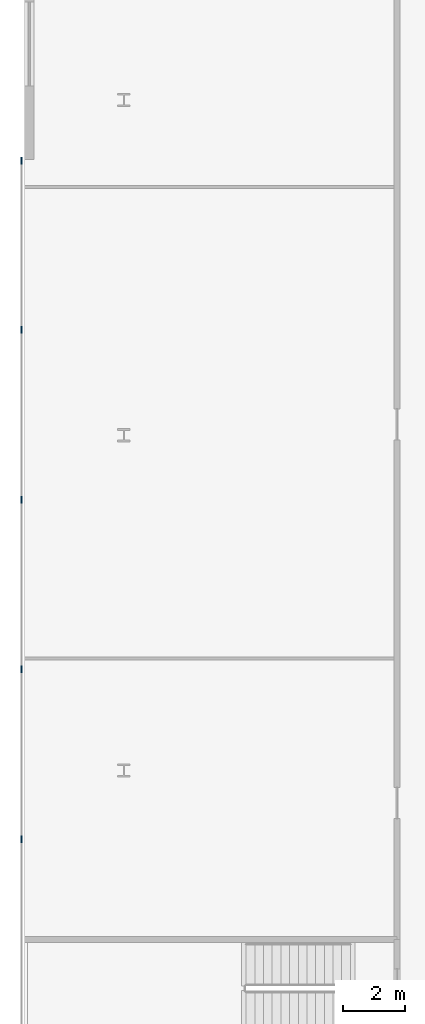
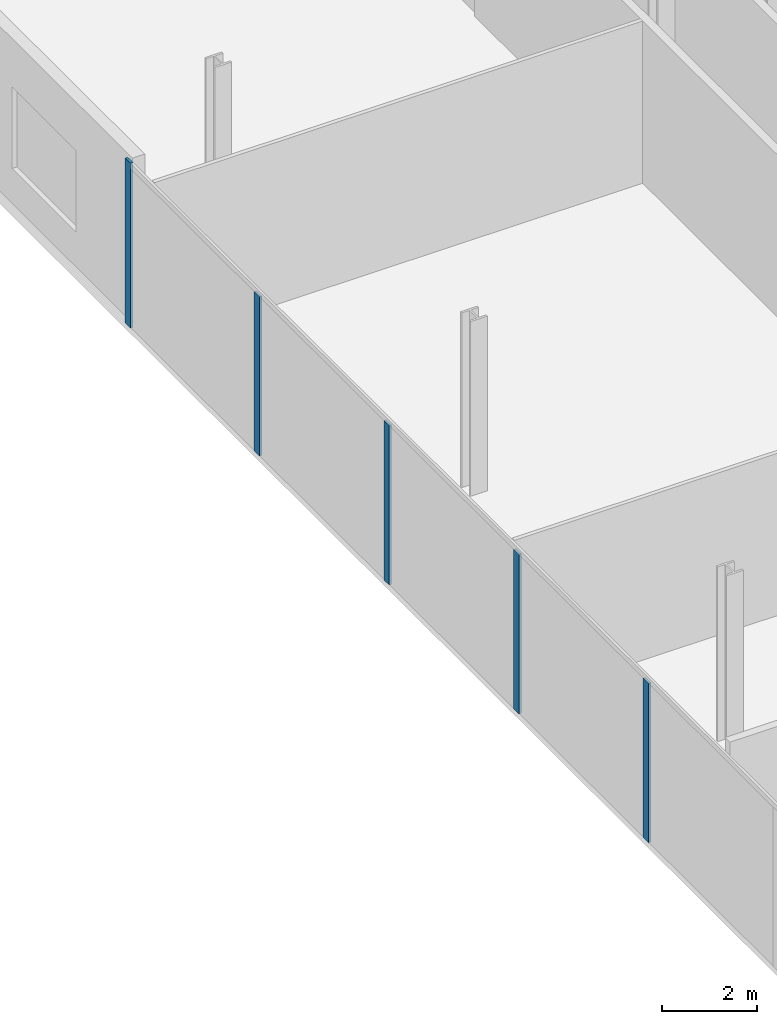
# One storey, part 9 of 47: 5 members, 1 element without a shape of its own.
"""IFC4 building model written with IfcOpenShell, lengths in metres."""

from ifc_helpers import new_model, si_unit, direction, frame, origin, origin_2d, place, context, subcontext, project, spatial, rectangle, extrude, material, layer, layer_set, material_profile, profile_set, type_object, element, aggregate, save


model = new_model("IFC4")

# Units and contexts
model_context = context("Model", 3, precision=1e-05, world=origin(), true_north=direction((0.0, 1.0)))
body_context = subcontext(model_context, "Body", "Model", "MODEL_VIEW")
ifc_project = project(units=[si_unit("LENGTHUNIT", "METRE"), si_unit("AREAUNIT", "SQUARE_METRE"), si_unit("VOLUMEUNIT", "CUBIC_METRE"), si_unit("PLANEANGLEUNIT", "RADIAN"), si_unit("MASSUNIT", "GRAM", prefix="KILO")], contexts=[model_context])

# Site, building, storey
site_placement = place(None, origin())
site = spatial("IfcSite", under=ifc_project, at=site_placement, CompositionType="ELEMENT")
building_placement = place(site_placement, origin())
building = spatial("IfcBuilding", under=site, at=building_placement, Name="Kheshtan School and Residences Tower", CompositionType="ELEMENT")
storey_placement = place(building_placement, frame((0.0, 0.0, 17.0)))
storey = spatial("IfcBuildingStorey", under=building, at=storey_placement, Name="L03", CompositionType="ELEMENT", Elevation=17.0)

# Curtain wall, members
ifc_material_1 = material(Name="Clear low-e glass in thermally broken aluminium frame", Category="aluminium")
ifc_layer = layer(ifc_material_1, 0.22509765625)
ifc_layer_set = layer_set([ifc_layer], Name="Curtain wall CW-P")
curtain_wall_type = type_object("IfcCurtainWallType", Name="Curtain wall CW-P", PredefinedType="NOTDEFINED", material=ifc_layer_set)
curtain_wall_placement = place(storey_placement, origin())
curtain_wall = element("IfcCurtainWall", 1, at=curtain_wall_placement, inside=storey, type_object=curtain_wall_type, Name="Curtain wall CWP16a", PredefinedType="NOTDEFINED")
ifc_material_2 = material(Name="Thermally broken aluminium, dark bronze anodised", Category="aluminium")
ifc_material_profile = material_profile(ifc_material_2, rectangle(XDim=0.06005859375, YDim=0.22509765625, at=origin_2d()), Name="CW-P mullion 60x225")
ifc_profile_set = profile_set([ifc_material_profile], Name="Thermally broken aluminium, dark bronze anodised")
member_type = type_object("IfcMemberType", Name="CW-P mullion 60x225", PredefinedType="MULLION", material=ifc_profile_set)
member_1_placement = place(storey_placement, frame((11.89990234375, 43.377685546875, 0.0), z_axis=(0.0, 0.0, 1.0), x_axis=(-1.0, 0.0, 0.0)))
member_1 = element("IfcMember", 2, at=member_1_placement, type_object=member_type, Name="CWP16a mullion 6", PredefinedType="MULLION", context=body_context, shape_type="SweptSolid", body=[
    extrude(rectangle(XDim=0.06005859375, YDim=0.22509765625, at=origin_2d()), origin(), (0.0, 0.0, 1.0), 4.110107421875),
])
member_2_placement = place(storey_placement, frame((11.89990234375, 48.853271484375, 0.0), z_axis=(0.0, 0.0, 1.0), x_axis=(-1.0, 0.0, 0.0)))
member_2 = element("IfcMember", 3, at=member_2_placement, type_object=member_type, Name="CWP16a mullion 7", PredefinedType="MULLION", context=body_context, shape_type="SweptSolid", body=[
    extrude(rectangle(XDim=0.06005859375, YDim=0.22509765625, at=origin_2d()), origin(), (0.0, 0.0, 1.0), 4.110107421875),
])
member_3_placement = place(storey_placement, frame((11.89990234375, 54.328857421875, 0.0), z_axis=(0.0, 0.0, 1.0), x_axis=(-1.0, 0.0, 0.0)))
member_3 = element("IfcMember", 4, at=member_3_placement, type_object=member_type, Name="CWP16a mullion 8", PredefinedType="MULLION", context=body_context, shape_type="SweptSolid", body=[
    extrude(rectangle(XDim=0.06005859375, YDim=0.22509765625, at=origin_2d()), origin(), (0.0, 0.0, 1.0), 4.110107421875),
])
member_4_placement = place(storey_placement, frame((11.89990234375, 59.804443359375, 0.0), z_axis=(0.0, 0.0, 1.0), x_axis=(-1.0, 0.0, 0.0)))
member_4 = element("IfcMember", 5, at=member_4_placement, type_object=member_type, Name="CWP16a mullion 9", PredefinedType="MULLION", context=body_context, shape_type="SweptSolid", body=[
    extrude(rectangle(XDim=0.06005859375, YDim=0.22509765625, at=origin_2d()), origin(), (0.0, 0.0, 1.0), 4.110107421875),
])
member_5_placement = place(storey_placement, frame((11.89990234375, 65.25, 0.0), z_axis=(0.0, 0.0, 1.0), x_axis=(-1.0, 0.0, 0.0)))
member_5 = element("IfcMember", 6, at=member_5_placement, type_object=member_type, Name="CWP16a mullion 10", PredefinedType="MULLION", context=body_context, shape_type="SweptSolid", body=[
    extrude(rectangle(XDim=0.06005859375, YDim=0.22509765625, at=origin_2d()), origin(), (0.0, 0.0, 1.0), 4.25),
])
aggregate(curtain_wall, [member_1, member_2, member_3, member_4, member_5])

save(model, "model.ifc")
